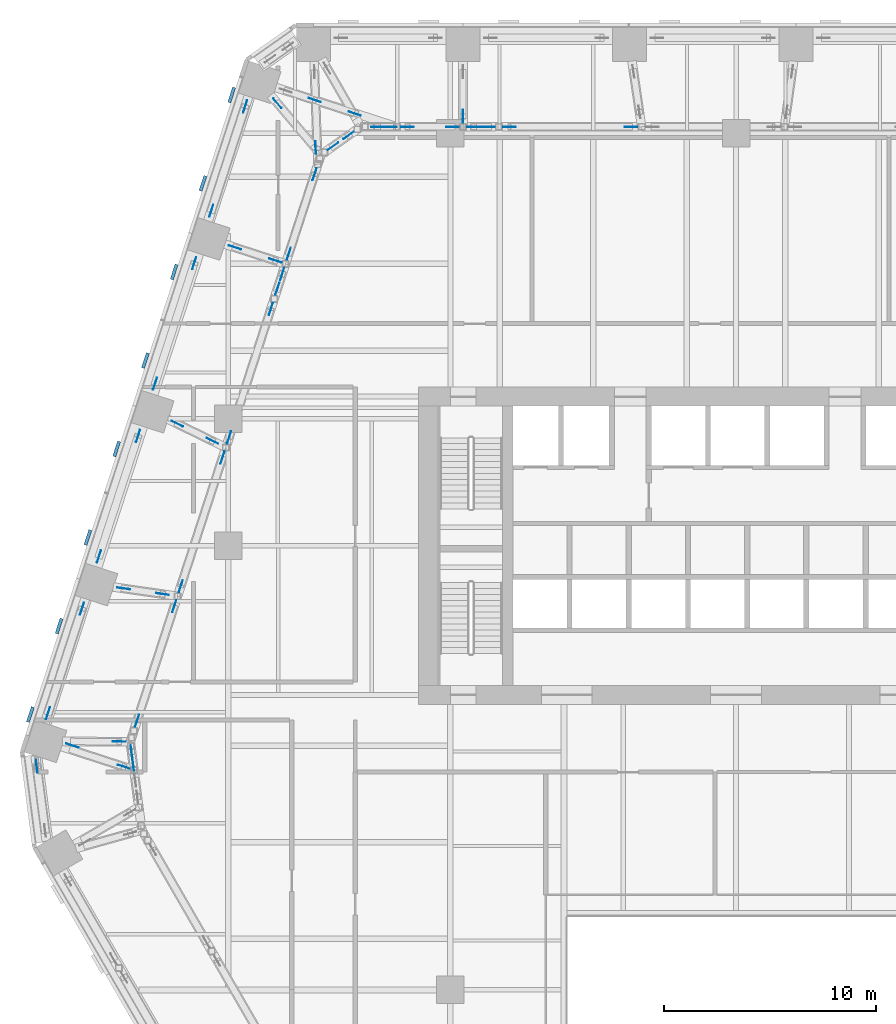
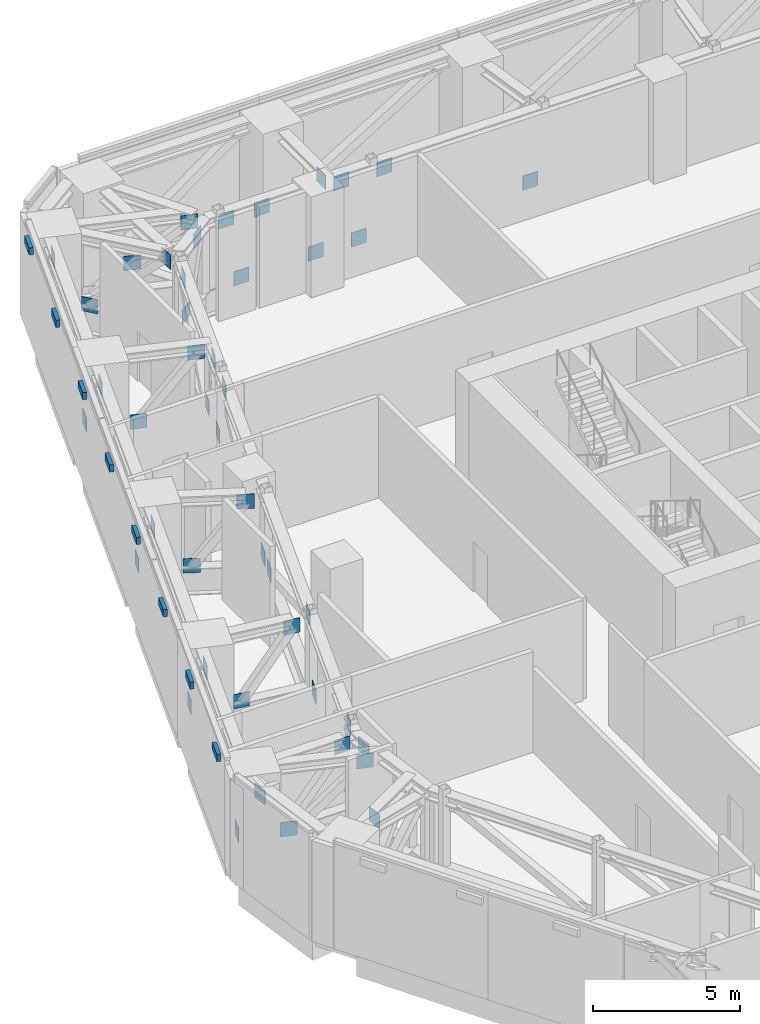
# One storey, part 30 of 36: 53 discrete accessories.
"""IFC4 building model written with IfcOpenShell, lengths in metres."""

import ifcopenshell
import ifcopenshell.guid

model = None  # the IFC model being written
_history = None  # IfcOwnerHistory: only IFC2X3 demands one
_inside = {}  # id of a spatial element -> (the spatial element, [elements in it])
_under = {}  # id of a project, library or spatial element -> (it, [spatial elements below it])
_declared = {}  # id of a project -> (the project, [libraries it declares])
_typed = {}  # id of a type object -> (the type object, [elements of that type])
_made_of = {}  # id of a material, layer set ... -> (it, [elements and type objects made of it])


def new_model(schema):
    """Start an empty IFC model of exactly this schema.

    Asked for "IFC4X3", IfcOpenShell would pick the latest addendum, in which some entities
    have other attributes; the version numbers below select the first issue.
    IFC2X3 requires an IfcOwnerHistory on every rooted entity: one is made here for all.
    """
    global model, _history
    if schema == "IFC4X3":
        model = ifcopenshell.file(schema_version=(4, 3, 0, 0))
    else:
        model = ifcopenshell.file(schema=schema)
    _inside.clear()
    _under.clear()
    _declared.clear()
    _typed.clear()
    _made_of.clear()
    _history = None
    if model.schema == "IFC2X3":
        org = make("IfcOrganization", Name="unknown")
        user = make(
            "IfcPersonAndOrganization",
            ThePerson=make("IfcPerson", FamilyName="unknown"),
            TheOrganization=org,
        )
        app = make(
            "IfcApplication",
            ApplicationDeveloper=org,
            Version="unknown",
            ApplicationFullName="unknown",
            ApplicationIdentifier="unknown",
        )
        _history = make(
            "IfcOwnerHistory",
            OwningUser=user,
            OwningApplication=app,
            ChangeAction="ADDED",
            CreationDate=0,
        )
    return model


def make(cls, **values):
    """One entity of the class cls with the attributes given. An attribute that is None is left unset."""
    return model.create_entity(
        cls, **{name: value for name, value in values.items() if value is not None}
    )


def rooted(cls, **values):
    """An entity with a GlobalId (a new one), such as an element, a storey or a relation."""
    return make(cls, GlobalId=ifcopenshell.guid.new(), OwnerHistory=_history, **values)


def si_unit(unit_type, name, prefix=None):
    """IfcSIUnit, for example si_unit("LENGTHUNIT", "METRE", prefix="MILLI")."""
    return make("IfcSIUnit", UnitType=unit_type, Prefix=prefix, Name=name)


def assignment(units):
    """IfcUnitAssignment: the units of a project."""
    return None if units is None else make("IfcUnitAssignment", Units=units)


def point(xyz):
    """IfcCartesianPoint."""
    return None if xyz is None else make("IfcCartesianPoint", Coordinates=xyz)


def direction(xyz):
    """IfcDirection."""
    return None if xyz is None else make("IfcDirection", DirectionRatios=xyz)


def frame(location, z_axis=None, x_axis=None):
    """IfcAxis2Placement3D, a coordinate frame: its origin and axes. An axis left out is left unset."""
    return make(
        "IfcAxis2Placement3D",
        Location=point(location),
        Axis=direction(z_axis),
        RefDirection=direction(x_axis),
    )


def frame_2d(location, x_axis=None):
    """IfcAxis2Placement2D, a coordinate frame in the plane: its origin and x axis."""
    return make(
        "IfcAxis2Placement2D", Location=point(location), RefDirection=direction(x_axis)
    )


def origin():
    """The frame at (0, 0, 0) with its axes left unset."""
    return frame((0.0, 0.0, 0.0))


def origin_2d():
    """The frame at (0, 0) in the plane with its x axis left unset."""
    return frame_2d((0.0, 0.0))


def place(relative_to, where):
    """IfcLocalPlacement: puts the frame where relative to a parent placement (None: the world)."""
    return make(
        "IfcLocalPlacement", PlacementRelTo=relative_to, RelativePlacement=where
    )


def context(
    kind, dimensions, precision=None, world=None, true_north=None, identifier=None
):
    """IfcGeometricRepresentationContext, for example the 3D "Model" context."""
    return make(
        "IfcGeometricRepresentationContext",
        ContextIdentifier=identifier,
        ContextType=kind,
        CoordinateSpaceDimension=dimensions,
        Precision=precision,
        WorldCoordinateSystem=world,
        TrueNorth=true_north,
    )


def subcontext(parent, identifier, kind, view, scale=None):
    """IfcGeometricRepresentationSubContext, for example "Body" below "Model"."""
    return make(
        "IfcGeometricRepresentationSubContext",
        ContextIdentifier=identifier,
        ContextType=kind,
        ParentContext=parent,
        TargetScale=scale,
        TargetView=view,
    )


def project(units=None, contexts=None):
    """IfcProject with its units and contexts."""
    return rooted(
        "IfcProject",
        Name="project",
        RepresentationContexts=contexts,
        UnitsInContext=assignment(units),
    )


def spatial(cls, under=None, at=None, **own):
    """A site, building, storey or space (cls), placed at a placement, below another one or the project."""
    s = rooted(cls, ObjectPlacement=at, **own)
    if under is not None:
        _under.setdefault(under.id(), (under, []))[1].append(s)
    return s


def profile(cls, at=None, kind="AREA", **sizes):
    """A parametric profile (cls). Its sizes go by their IFC names, for example OverallWidth=200.0."""
    return make(cls, ProfileType=kind, Position=at, **sizes)


def rectangle(**sizes):
    """IfcRectangleProfileDef."""
    return profile("IfcRectangleProfileDef", **sizes)


def extrude(swept, where, along, depth):
    """IfcExtrudedAreaSolid: the profile swept, set in the frame where, extruded along a direction by depth."""
    return make(
        "IfcExtrudedAreaSolid",
        SweptArea=swept,
        Position=where,
        ExtrudedDirection=direction(along),
        Depth=depth,
    )


def shape(context_of_items, identifier, shape_type, items):
    """IfcShapeRepresentation: the items that make up one representation, for example the "Body"."""
    return make(
        "IfcShapeRepresentation",
        ContextOfItems=context_of_items,
        RepresentationIdentifier=identifier,
        RepresentationType=shape_type,
        Items=items,
    )


def material(Name=None, Category=None):
    """IfcMaterial."""
    return make("IfcMaterial", Name=Name, Category=Category)


def made_of(thing, what):
    """Note that an element or type object is made of a material, layer set ...; save() writes the relation."""
    if what is not None:
        _made_of.setdefault(what.id(), (what, []))[1].append(thing)
    return thing


def type_object(cls, material=None, **own):
    """A type object (cls), such as IfcWallType, which elements share."""
    return made_of(rooted(cls, **own), material)


def element(
    cls,
    number,
    at=None,
    inside=None,
    cuts=None,
    type_object=None,
    material=None,
    context=None,
    identifier="Body",
    shape_type=None,
    held_by="IfcProductDefinitionShape",
    body=None,
    shapes=None,
    **own,
):
    """One element of the class cls, such as IfcWall. Its Tag is "e" and its number.

    at: its placement. inside: the storey or other place that contains it. cuts: it is an
    opening in that element (IfcRelVoidsElement). A single representation is given by context,
    identifier, shape_type and body (its items); several are given by shapes. held_by: the class
    of the entity that holds the representations. save() writes the other relations.
    """
    e = rooted(cls, Tag="e%d" % number, ObjectPlacement=at, **own)
    if body is not None:
        shapes = [shape(context, identifier, shape_type, body)]
    if shapes is not None:
        e.Representation = make(held_by, Representations=shapes)
    if inside is not None:
        _inside.setdefault(inside.id(), (inside, []))[1].append(e)
    if cuts is not None:
        rooted(
            "IfcRelVoidsElement", RelatingBuildingElement=cuts, RelatedOpeningElement=e
        )
    if type_object is not None:
        _typed.setdefault(type_object.id(), (type_object, []))[1].append(e)
    return made_of(e, material)


def aggregate(whole, parts):
    """IfcRelAggregates: a whole, such as a stair, and the parts it consists of."""
    return rooted("IfcRelAggregates", RelatingObject=whole, RelatedObjects=parts)


def save(model, path):
    """Write the relations noted so far, then the file.

    IfcRelAggregates (storeys below a building ...), IfcRelContainedInSpatialStructure (elements
    in a storey), IfcRelDefinesByType, IfcRelAssociatesMaterial and IfcRelDeclares: one each for
    every whole, place, type object, material and project.
    """
    for whole, parts in _under.values():
        aggregate(whole, parts)
    for where, things in _inside.values():
        rooted(
            "IfcRelContainedInSpatialStructure",
            RelatedElements=things,
            RelatingStructure=where,
        )
    for kind, things in _typed.values():
        rooted("IfcRelDefinesByType", RelatedObjects=things, RelatingType=kind)
    for what, things in _made_of.values():
        rooted("IfcRelAssociatesMaterial", RelatedObjects=things, RelatingMaterial=what)
    for by, libraries in _declared.values():
        rooted("IfcRelDeclares", RelatingContext=by, RelatedDefinitions=libraries)
    model.write(path)


model = new_model("IFC4")

# Units and contexts
model_context = context("Model", 3, precision=1e-05, world=origin(), true_north=direction((0.0, 1.0)))
body_context = subcontext(model_context, "Body", "Model", "MODEL_VIEW")
ifc_project = project(units=[si_unit("LENGTHUNIT", "METRE"), si_unit("AREAUNIT", "SQUARE_METRE"), si_unit("VOLUMEUNIT", "CUBIC_METRE"), si_unit("PLANEANGLEUNIT", "RADIAN"), si_unit("MASSUNIT", "GRAM", prefix="KILO")], contexts=[model_context])

# Site, building, storey
site_placement = place(None, origin())
site = spatial("IfcSite", under=ifc_project, at=site_placement, CompositionType="ELEMENT")
building_placement = place(site_placement, origin())
building = spatial("IfcBuilding", under=site, at=building_placement, Name="Isthmus Gate Tower", CompositionType="ELEMENT")
storey_placement = place(building_placement, frame((0.0, 0.0, 117.14990234375)))
storey = spatial("IfcBuildingStorey", under=building, at=storey_placement, Name="L28", CompositionType="ELEMENT", Elevation=117.14990234375)

# Discrete accessories
ifc_material_1 = material(Name="Structural steel ASTM A572 Gr 50, white paint system", Category="steel")
discrete_accessory_type_1 = type_object("IfcDiscreteAccessoryType", Name="FIN BRACKET 748 X 150 X 300", PredefinedType="BRACKET", material=ifc_material_1)
for number, where, z_axis, x_axis, name in (
    (1, (-23.84033203125, 28.808349609375, 3.9501953125), (0.0, 0.0, 1.0), (-0.951056516295, 0.309016994375, 0.0), "FIN BRACKET"),
    (2, (-25.199951171875, 24.62353515625, 3.9501953125), (0.0, 0.0, 1.0), (-0.951056516295, 0.309016994375, 0.0), "FIN BRACKET"),
    (3, (-26.5595703125, 20.43896484375, 3.9501953125), (0.0, 0.0, 1.0), (-0.951056516295, 0.309016994375, 0.0), "FIN BRACKET"),
    (4, (-27.91943359375, 16.25439453125, 3.9501953125), (0.0, 0.0, 1.0), (-0.951056516295, 0.309016994375, 0.0), "FIN BRACKET"),
    (5, (-29.279052734375, 12.06982421875, 3.9501953125), (0.0, 0.0, 1.0), (-0.951056516295, 0.309016994375, 0.0), "FIN BRACKET"),
    (6, (-30.638671875, 7.885009765625, 3.9501953125), (0.0, 0.0, 1.0), (-0.951056516295, 0.309016994375, 0.0), "FIN BRACKET"),
    (7, (-31.998291015625, 3.700439453125, 3.9501953125), (0.0, 0.0, 1.0), (-0.951056516295, 0.309016994375, 0.0), "FIN BRACKET"),
    (8, (-33.35791015625, -0.484130859375, 3.9501953125), (0.0, 0.0, 1.0), (-0.951056516295, 0.309016994375, 0.0), "FIN BRACKET"),
):
    element("IfcDiscreteAccessory", number, at=place(storey_placement, frame(where, z_axis=z_axis, x_axis=x_axis)), inside=storey, type_object=discrete_accessory_type_1, Name=name, PredefinedType="BRACKET", context=body_context, shape_type="SweptSolid", body=[
        extrude(rectangle(XDim=0.14990234375, YDim=0.748046875, at=origin_2d()), origin(), (0.0, 0.0, 1.0), 0.300048828125),
    ])
ifc_material_2 = material(Name="Structural steel ASTM A992 Gr 50", Category="steel")
discrete_accessory_type_2 = type_object("IfcDiscreteAccessoryType", Name="GUSSET PLATE 600 X 20", PredefinedType="USERDEFINED", material=ifc_material_2)
for number, where, z_axis, x_axis, name in (
    (9, (-33.054931640625, -2.927734375, 3.41748046875), (0.0, 0.0, 1.0), (-0.129164534, 0.991623175988, 0.0), "GUSSET PLATE"),
    (10, (-32.521728515625, -0.418212890625, 0.1826171875), (0.0, 0.0, 1.0), (0.309016994375, 0.951056516295, 0.0), "GUSSET PLATE"),
    (11, (-30.91796875, 4.517333984375, 3.41748046875), (0.0, 0.0, 1.0), (0.309016994375, 0.951056516295, 0.0), "GUSSET PLATE"),
    (12, (-30.114501953125, 6.989990234375, 0.1826171875), (0.0, 0.0, 1.0), (0.309016994375, 0.951056516295, 0.0), "GUSSET PLATE"),
    (13, (-28.263916015625, 12.686279296875, 3.41748046875), (0.0, 0.0, 1.0), (0.309016994375, 0.951056516295, 0.0), "GUSSET PLATE"),
    (14, (-27.46044921875, 15.158935546875, 0.1826171875), (0.0, 0.0, 1.0), (0.309016994375, 0.951056516295, 0.0), "GUSSET PLATE"),
    (15, (-25.609619140625, 20.855224609375, 3.41748046875), (0.0, 0.0, 1.0), (0.309016994375, 0.951056516295, 0.0), "GUSSET PLATE"),
    (16, (-24.80615234375, 23.327880859375, 0.1826171875), (0.0, 0.0, 1.0), (0.309016994375, 0.951056516295, 0.0), "GUSSET PLATE"),
    (17, (-23.20263671875, 28.26318359375, 3.41748046875), (0.0, 0.0, 1.0), (0.309016994375, 0.951056516295, 0.0), "GUSSET PLATE"),
    (18, (-12.90673828125, 27.800048828125, 3.374755859375), (0.0, 0.0, 1.0), (0.0, -1.0, 0.0), "GUSSET PLATE"),
    (19, (-19.868408203125, 26.318359375, 3.374755859375), (0.0, 0.0, 1.0), (0.037172922591, -0.999308848068, 0.0), "GUSSET PLATE"),
    (20, (-19.916015625, 28.562255859375, 1.8515625), (0.0, 0.0, 1.0), (0.951056516257, -0.309016994491, 0.0), "GUSSET PLATE"),
    (21, (-18.030029296875, 27.925537109375, 3.26953125), (0.0, 0.0, 1.0), (0.951056516257, -0.309016994491, 0.0), "GUSSET PLATE"),
    (22, (-23.68603515625, 21.59716796875, 0.7890625), (0.0, 0.0, 1.0), (0.951056516295, -0.309016994375, 0.0), "GUSSET PLATE"),
    (23, (-21.77197265625, 20.97509765625, 3.374755859375), (0.0, 0.0, 1.0), (0.951056516295, -0.309016994375, 0.0), "GUSSET PLATE"),
    (24, (-26.40869140625, 13.259521484375, 0.7890625), (0.0, 0.0, 1.0), (0.898607751518, -0.438752901884, 0.0), "GUSSET PLATE"),
    (25, (-24.752197265625, 12.45068359375, 3.374755859375), (0.0, 0.0, 1.0), (0.898607751518, -0.438752901884, 0.0), "GUSSET PLATE"),
    (26, (-28.944091796875, 5.476318359375, 0.7890625), (0.0, 0.0, 1.0), (0.989867649485, -0.14199308611, 0.0), "GUSSET PLATE"),
    (27, (-27.10400390625, 5.21240234375, 3.374755859375), (0.0, 0.0, 1.0), (0.989867649485, -0.14199308611, 0.0), "GUSSET PLATE"),
    (28, (-31.369873046875, -1.951416015625, 0.7890625), (0.0, 0.0, 1.0), (0.951056516295, -0.309016994375, 0.0), "GUSSET PLATE"),
    (29, (-28.937255859375, -2.94970703125, 3.374755859375), (0.0, 0.0, 1.0), (0.951056516295, -0.309016994375, 0.0), "GUSSET PLATE"),
    (30, (-29.15478515625, -1.764892578125, 3.374755859375), (0.0, 0.0, 1.0), (0.999987216513, -0.00505636333, 0.0), "GUSSET PLATE"),
    (31, (-21.67724609375, 28.413330078125, 0.7890625), (0.0, 0.0, 1.0), (0.644878010201, -0.764285517303, 0.0), "GUSSET PLATE"),
    (32, (-28.4970703125, -2.832763671875, 0.7890625), (0.0, 0.0, 1.0), (-0.129164534, 0.991623175988, 0.0), "GUSSET PLATE"),
    (33, (-28.57470703125, -2.23779296875, 3.374755859375), (0.0, 0.0, 1.0), (-0.129164534, 0.991623175988, 0.0), "GUSSET PLATE"),
    (34, (-26.55517578125, 4.635986328125, 0.7890625), (0.0, 0.0, 1.0), (-0.309016994375, -0.951056516295, 0.0), "GUSSET PLATE"),
    (35, (-28.31396484375, -0.7763671875, 3.374755859375), (0.0, 0.0, 1.0), (-0.309016994375, -0.951056516295, 0.0), "GUSSET PLATE"),
    (36, (-24.271240234375, 11.665283203125, 0.7890625), (0.0, 0.0, 1.0), (-0.309016994375, -0.951056516295, 0.0), "GUSSET PLATE"),
    (37, (-26.246337890625, 5.587158203125, 3.374755859375), (0.0, 0.0, 1.0), (-0.309016994375, -0.951056516295, 0.0), "GUSSET PLATE"),
    (38, (-23.962158203125, 12.6162109375, 0.7890625), (0.0, 0.0, 1.0), (0.309016994375, 0.951056516295, 0.0), "GUSSET PLATE"),
    (39, (-21.987548828125, 18.693603515625, 3.374755859375), (0.0, 0.0, 1.0), (0.309016994375, 0.951056516295, 0.0), "GUSSET PLATE"),
    (40, (-21.6787109375, 19.64453125, 0.7890625), (0.0, 0.0, 1.0), (0.309016994375, 0.951056516295, 0.0), "GUSSET PLATE"),
    (41, (-21.450927734375, 20.345458984375, 3.374755859375), (0.0, 0.0, 1.0), (0.309016994375, 0.951056516295, 0.0), "GUSSET PLATE"),
    (42, (-21.141845703125, 21.296630859375, 0.7890625), (0.0, 0.0, 1.0), (0.309016994375, 0.951056516295, 0.0), "GUSSET PLATE"),
    (43, (-19.919921875, 25.05712890625, 3.374755859375), (0.0, 0.0, 1.0), (0.309016994375, 0.951056516295, 0.0), "GUSSET PLATE"),
    (44, (-19.048828125, 26.37939453125, 0.7890625), (0.0, 0.0, 1.0), (0.81785959165, 0.57541783805, 0.0), "GUSSET PLATE"),
    (45, (-18.312744140625, 26.8974609375, 3.374755859375), (0.0, 0.0, 1.0), (0.81785959165, 0.57541783805, 0.0), "GUSSET PLATE"),
    (46, (-16.346923828125, 27.300048828125, 0.7890625), (0.0, 0.0, 1.0), (-1.0, 0.0, 0.0), "GUSSET PLATE"),
    (47, (-16.94677734375, 27.300048828125, 3.374755859375), (0.0, 0.0, 1.0), (-1.0, 0.0, 0.0), "GUSSET PLATE"),
    (48, (-13.406494140625, 27.300048828125, 0.7890625), (0.0, 0.0, 1.0), (-1.0, 0.0, 0.0), "GUSSET PLATE"),
    (49, (-15.531494140625, 27.300048828125, 3.374755859375), (0.0, 0.0, 1.0), (-1.0, 0.0, 0.0), "GUSSET PLATE"),
    (50, (-11.71142578125, 27.300048828125, 0.7890625), (0.0, 0.0, 1.0), (-1.0, 0.0, 0.0), "GUSSET PLATE"),
    (51, (-12.406494140625, 27.300048828125, 3.374755859375), (0.0, 0.0, 1.0), (-1.0, 0.0, 0.0), "GUSSET PLATE"),
    (52, (-4.96142578125, 27.300048828125, 0.7890625), (0.0, 0.0, 1.0), (-1.0, 0.0, 0.0), "GUSSET PLATE"),
    (53, (-10.71142578125, 27.300048828125, 3.374755859375), (0.0, 0.0, 1.0), (-1.0, 0.0, 0.0), "GUSSET PLATE"),
):
    element("IfcDiscreteAccessory", number, at=place(storey_placement, frame(where, z_axis=z_axis, x_axis=x_axis)), inside=storey, type_object=discrete_accessory_type_2, Name=name, ObjectType="GUSSET PLATE", PredefinedType="USERDEFINED", context=body_context, shape_type="SweptSolid", body=[
        extrude(rectangle(XDim=0.60009765625, YDim=0.02001953125, at=origin_2d()), origin(), (0.0, 0.0, 1.0), 0.60009765625),
    ])

save(model, "model.ifc")
